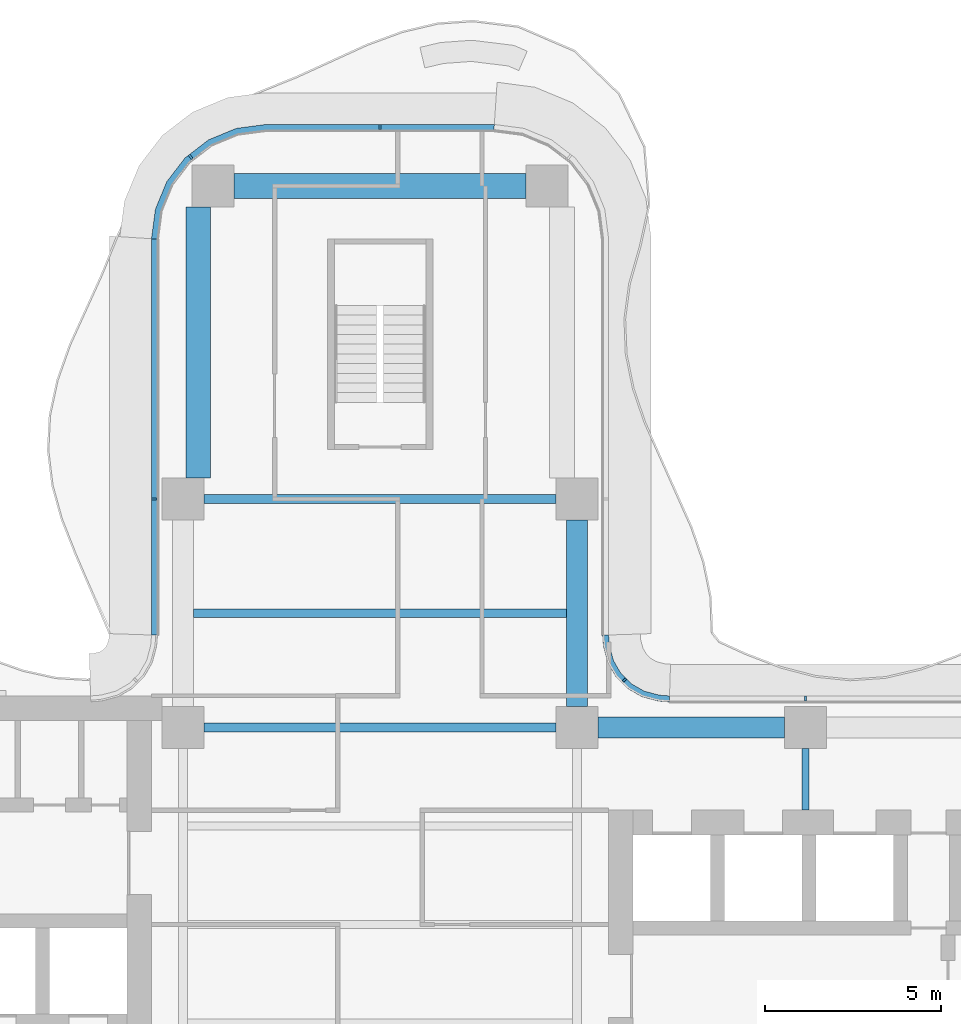
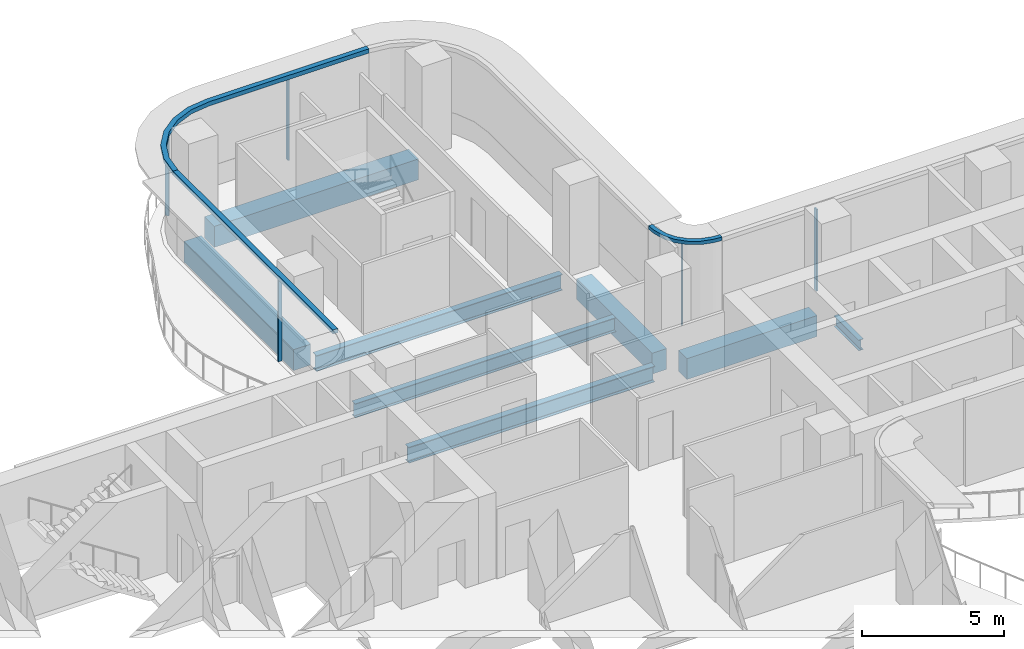
# One storey, part 8 of 18: 8 beams, 8 members, 4 elements without a shape of their own.
"""IFC4 building model written with IfcOpenShell, lengths in metres."""

from ifc_helpers import new_model, si_unit, direction, frame, origin, origin_2d, place, context, subcontext, project, spatial, polyline, rectangle, i_section, outline, extrude, source, transform, mapped, material, layer, layer_set, material_profile, profile_set, type_object, element, aggregate, save


model = new_model("IFC4")

# Units and contexts
model_context = context("Model", 3, precision=1e-05, world=origin(), true_north=direction((0.0, 1.0)))
body_context = subcontext(model_context, "Body", "Model", "MODEL_VIEW")
ifc_project = project(units=[si_unit("LENGTHUNIT", "METRE"), si_unit("AREAUNIT", "SQUARE_METRE"), si_unit("VOLUMEUNIT", "CUBIC_METRE"), si_unit("PLANEANGLEUNIT", "RADIAN"), si_unit("MASSUNIT", "GRAM", prefix="KILO")], contexts=[model_context])

# Site, building, storey
site_placement = place(None, origin())
site = spatial("IfcSite", under=ifc_project, at=site_placement, CompositionType="ELEMENT")
building_placement = place(site_placement, origin())
building = spatial("IfcBuilding", under=site, at=building_placement, Name="Trellis Farm Tower", CompositionType="ELEMENT")
storey_placement = place(building_placement, frame((0.0, 0.0, 193.199951171875)))
storey = spatial("IfcBuildingStorey", under=building, at=storey_placement, Name="L42", CompositionType="ELEMENT", Elevation=193.199951171875)

# Beams
ifc_material_1 = material(Name="Concrete C60/75", Category="concrete")
ifc_material_profile_1 = material_profile(ifc_material_1, rectangle(XDim=0.60009765625, YDim=0.89990234375, at=origin_2d()), Name="RC spandrel beam 600x900 C60/75")
ifc_profile_set_1 = profile_set([ifc_material_profile_1], Name="Concrete C60/75")
beam_type_1 = type_object("IfcBeamType", Name="RC spandrel beam 600x900 C60/75", PredefinedType="SPANDREL", material=ifc_profile_set_1)
shared_shape_1 = source(origin(), body_context, "Body", "SweptSolid", [
    extrude(rectangle(XDim=0.60009765625, YDim=0.89990234375, at=origin_2d()), origin(), (0.0, 0.0, 1.0), 5.300048828125),
])
for number, where, z_axis, x_axis, name in (
    (1, (6.199951171875, 5.60009765625, -0.64990234375), (1.0, 0.0, 0.0), (0.0, 1.0, 0.0), "Girder"),
    (2, (5.60009765625, 6.199951171875, -0.64990234375), (0.0, 1.0, 0.0), (-1.0, 0.0, 0.0), "Girder"),
):
    element("IfcBeam", number, at=place(storey_placement, frame(where, z_axis=z_axis, x_axis=x_axis)), inside=storey, type_object=beam_type_1, Name=name, PredefinedType="SPANDREL", context=body_context, shape_type="MappedRepresentation", body=[
        mapped(shared_shape_1, transform((0.0, 0.0, 0.0))),
    ])
ifc_material_2 = material(Name="Steel S355", Category="steel")
ifc_material_profile_2 = material_profile(ifc_material_2, i_section(OverallWidth=0.253662109375, OverallDepth=0.68359375, WebThickness=0.012451171875, FlangeThickness=0.021728515625, FilletRadius=0.01513671875, at=origin_2d()), Name="UB 686x254x140")
ifc_profile_set_2 = profile_set([ifc_material_profile_2], Name="Steel S355")
beam_type_2 = type_object("IfcBeamType", Name="UB 686x254x140", PredefinedType="BEAM", material=ifc_profile_set_2)
shared_shape_2 = source(origin(), body_context, "Body", "SweptSolid", [
    extrude(i_section(OverallWidth=0.253662109375, OverallDepth=0.68359375, WebThickness=0.012451171875, FlangeThickness=0.021728515625, FilletRadius=0.01513671875, at=origin_2d()), origin(), (0.0, 0.0, 1.0), 10.0),
])
for number, where, z_axis, x_axis, name in (
    (3, (-5.0, 5.60009765625, -0.541748046875), (1.0, 0.0, 0.0), (0.0, 1.0, 0.0), "Girder"),
    (4, (-5.0, 12.10009765625, -0.541748046875), (1.0, 0.0, 0.0), (0.0, 1.0, 0.0), "Girder"),
):
    element("IfcBeam", number, at=place(storey_placement, frame(where, z_axis=z_axis, x_axis=x_axis)), inside=storey, type_object=beam_type_2, Name=name, PredefinedType="BEAM", context=body_context, shape_type="MappedRepresentation", body=[
        mapped(shared_shape_2, transform((0.0, 0.0, 0.0))),
    ])
ifc_material_profile_3 = material_profile(ifc_material_1, rectangle(XDim=0.699951171875, YDim=0.89990234375, at=origin_2d()), Name="RC spandrel beam 700x900 C60/75")
ifc_profile_set_3 = profile_set([ifc_material_profile_3], Name="Concrete C60/75")
beam_type_3 = type_object("IfcBeamType", Name="RC spandrel beam 700x900 C60/75", PredefinedType="SPANDREL", material=ifc_profile_set_3)
shared_shape_3 = source(origin(), body_context, "Body", "SweptSolid", [
    extrude(rectangle(XDim=0.699951171875, YDim=0.89990234375, at=origin_2d()), origin(), (0.0, 0.0, 1.0), 8.2998046875),
])
beam_1_placement = place(storey_placement, frame((-4.14990234375, 21.0, -0.64990234375), z_axis=(1.0, 0.0, 0.0), x_axis=(0.0, 1.0, 0.0)))
element("IfcBeam", 5, at=beam_1_placement, inside=storey, type_object=beam_type_3, Name="Girder", PredefinedType="SPANDREL", context=body_context, shape_type="MappedRepresentation", body=[
    mapped(shared_shape_3, transform((0.0, 0.0, 0.0))),
])
ifc_material_profile_4 = material_profile(ifc_material_2, i_section(OverallWidth=0.1904296875, OverallDepth=0.45703125, WebThickness=0.009033203125, FlangeThickness=0.014404296875, FilletRadius=0.01025390625, at=origin_2d()), Name="UB 457x191x74")
ifc_profile_set_4 = profile_set([ifc_material_profile_4], Name="Steel S355")
beam_type_4 = type_object("IfcBeamType", Name="UB 457x191x74", PredefinedType="BEAM", material=ifc_profile_set_4)
shared_shape_4 = source(origin(), body_context, "Body", "SweptSolid", [
    extrude(i_section(OverallWidth=0.1904296875, OverallDepth=0.45703125, WebThickness=0.009033203125, FlangeThickness=0.014404296875, FilletRadius=0.01025390625, at=origin_2d()), origin(), (0.0, 0.0, 1.0), 1.75),
])
beam_2_placement = place(storey_placement, frame((12.10009765625, 3.25, -0.428466796875), z_axis=(0.0, 1.0, 0.0), x_axis=(-1.0, 0.0, 0.0)))
element("IfcBeam", 6, at=beam_2_placement, inside=storey, type_object=beam_type_4, Name="Girder", PredefinedType="BEAM", context=body_context, shape_type="MappedRepresentation", body=[
    mapped(shared_shape_4, transform((0.0, 0.0, 0.0))),
])
ifc_material_profile_5 = material_profile(ifc_material_2, i_section(OverallWidth=0.22900390625, OverallDepth=0.6123046875, WebThickness=0.011962890625, FlangeThickness=0.01953125, FilletRadius=0.0126953125, at=origin_2d()), Name="UB 610x229x125")
ifc_profile_set_5 = profile_set([ifc_material_profile_5], Name="Steel S355")
beam_type_5 = type_object("IfcBeamType", Name="UB 610x229x125 joist", PredefinedType="JOIST", material=ifc_profile_set_5)
shared_shape_5 = source(origin(), body_context, "Body", "SweptSolid", [
    extrude(i_section(OverallWidth=0.22900390625, OverallDepth=0.6123046875, WebThickness=0.011962890625, FlangeThickness=0.01953125, FilletRadius=0.0126953125, at=origin_2d()), origin(), (0.0, 0.0, 1.0), 10.60009765625),
])
beam_3_placement = place(storey_placement, frame((-5.300048828125, 8.85009765625, -0.506103515625), z_axis=(1.0, 0.0, 0.0), x_axis=(0.0, 1.0, 0.0)))
element("IfcBeam", 7, at=beam_3_placement, inside=storey, type_object=beam_type_5, Name="Floor beam", PredefinedType="JOIST", context=body_context, shape_type="MappedRepresentation", body=[
    mapped(shared_shape_5, transform((0.0, 0.0, 0.0))),
])
shared_shape_6 = source(origin(), body_context, "Body", "SweptSolid", [
    extrude(rectangle(XDim=0.699951171875, YDim=0.89990234375, at=origin_2d()), origin(), (0.0, 0.0, 1.0), 7.699951171875),
])
beam_4_placement = place(storey_placement, frame((-5.175048828125, 12.699951171875, -0.64990234375), z_axis=(0.0, 1.0, 0.0), x_axis=(-1.0, 0.0, 0.0)))
element("IfcBeam", 8, at=beam_4_placement, inside=storey, type_object=beam_type_3, Name="Girder", PredefinedType="SPANDREL", context=body_context, shape_type="MappedRepresentation", body=[
    mapped(shared_shape_6, transform((0.0, 0.0, 0.0))),
])

# Curtain wall, member
ifc_material_3 = material(Name="Aluminium and glass curtain wall", Category="aluminium")
ifc_layer_1 = layer(ifc_material_3, 0.166015625)
ifc_layer_set_1 = layer_set([ifc_layer_1], Name="WINTER GARDEN CURTAIN WALL CW3")
curtain_wall_type_1 = type_object("IfcCurtainWallType", Name="WINTER GARDEN CURTAIN WALL CW3", PredefinedType="NOTDEFINED", material=ifc_layer_set_1)
placement_1 = place(storey_placement, origin())
curtain_wall_1 = element("IfcCurtainWall", 9, at=placement_1, inside=storey, type_object=curtain_wall_type_1, Name="CW3 003", PredefinedType="NOTDEFINED")
ifc_material_4 = material(Name="Aluminium extrusion 6063-T6", Category="aluminium")
ifc_layer_2 = layer(ifc_material_4, 0.169921875)
ifc_layer_set_2 = layer_set([ifc_layer_2], Name="Aluminium extrusion 6063-T6")
member_type_1 = type_object("IfcMemberType", Name="CW3 TRANSOM 170x150", PredefinedType="USERDEFINED", material=ifc_layer_set_2)
shared_shape_7 = source(origin(), body_context, "Body", "SweptSolid", [
    extrude(outline(polyline([(8.2314453125, 6.5), (8.01953125, 6.513916015625), (7.91552734375, 6.527587890625), (7.508544921875, 6.63671875), (7.144287109375, 6.846923828125), (6.846923828125, 7.144287109375), (6.63671875, 7.508544921875), (6.527587890625, 7.91552734375), (6.513916015625, 8.01953125), (6.5, 8.2314453125), (6.330078125, 8.225830078125), (6.3447265625, 8.0029296875), (6.360595703125, 7.88232421875), (6.478271484375, 7.44287109375), (6.7109375, 7.0400390625), (7.0400390625, 6.7109375), (7.44287109375, 6.478271484375), (7.88232421875, 6.360595703125), (8.0029296875, 6.3447265625), (8.225830078125, 6.330078125), (8.2314453125, 6.5)])), origin(), (0.0, 0.0, 1.0), 0.14990234375),
])
member_1_placement = place(storey_placement, frame((0.0, 0.0, 3.550048828125)))
member_1 = element("IfcMember", 10, at=member_1_placement, type_object=member_type_1, Name="TR3 003", ObjectType="TRANSOM", PredefinedType="USERDEFINED", context=body_context, shape_type="MappedRepresentation", body=[
    mapped(shared_shape_7, transform((0.0, 0.0, 0.0))),
])

ifc_layer_3 = layer(ifc_material_3, 0.18994140625)
ifc_layer_set_3 = layer_set([ifc_layer_3], Name="RIBBON CURTAIN WALL CW1")
curtain_wall_type_2 = type_object("IfcCurtainWallType", Name="RIBBON CURTAIN WALL CW1", PredefinedType="NOTDEFINED", material=ifc_layer_set_3)
curtain_wall_2 = element("IfcCurtainWall", 11, at=placement_1, inside=storey, type_object=curtain_wall_type_2, Name="CW1 008", PredefinedType="NOTDEFINED")
ifc_material_profile_6 = material_profile(ifc_material_4, rectangle(XDim=0.06005859375, YDim=0.14990234375, at=origin_2d()), Name="MULLION 60x150")
ifc_profile_set_6 = profile_set([ifc_material_profile_6], Name="Aluminium extrusion 6063-T6")
member_type_2 = type_object("IfcMemberType", Name="CW1 MULLION 60x150", PredefinedType="MULLION", material=ifc_profile_set_6)
shared_shape_8 = source(origin(), body_context, "Body", "SweptSolid", [
    extrude(rectangle(XDim=0.06005859375, YDim=0.14990234375, at=origin_2d()), origin(), (0.0, 0.0, 1.0), 3.52001953125),
])
member_2_placement = place(storey_placement, frame((12.10009765625, 6.425048828125, 0.0), z_axis=(0.0, 0.0, 1.0), x_axis=(-1.0, 0.0, 0.0)))
member_2 = element("IfcMember", 12, at=member_2_placement, type_object=member_type_2, Name="MU1 008-02", PredefinedType="MULLION", context=body_context, shape_type="MappedRepresentation", body=[
    mapped(shared_shape_8, transform((0.0, 0.0, 0.0))),
])
aggregate(curtain_wall_2, [member_2])

# Curtain wall, members
curtain_wall_3 = element("IfcCurtainWall", 13, at=placement_1, inside=storey, type_object=curtain_wall_type_2, Name="CW1 010", PredefinedType="NOTDEFINED")
member_3_placement = place(storey_placement, frame((0.0, 22.675048828125, 0.0), z_axis=(0.0, 0.0, 1.0), x_axis=(-1.0, 0.0, 0.0)))
member_3 = element("IfcMember", 14, at=member_3_placement, type_object=member_type_2, Name="MU1 010-01", PredefinedType="MULLION", context=body_context, shape_type="MappedRepresentation", body=[
    mapped(shared_shape_8, transform((0.0, 0.0, 0.0))),
])
member_4_placement = place(storey_placement, frame((-5.385498046875, 21.828369140625, 0.0), z_axis=(0.0, 0.0, 1.0), x_axis=(-0.793353340291, -0.608761429009, 0.0)))
member_4 = element("IfcMember", 15, at=member_4_placement, type_object=member_type_2, Name="MU1 010-02", PredefinedType="MULLION", context=body_context, shape_type="MappedRepresentation", body=[
    mapped(shared_shape_8, transform((0.0, 0.0, 0.0))),
])

# Curtain wall, member
curtain_wall_4 = element("IfcCurtainWall", 16, at=placement_1, inside=storey, type_object=curtain_wall_type_2, Name="CW1 011", PredefinedType="NOTDEFINED")
member_5_placement = place(storey_placement, frame((-6.425048828125, 12.10009765625, 0.0), z_axis=(0.0, 0.0, 1.0), x_axis=(0.0, -1.0, 0.0)))
member_5 = element("IfcMember", 17, at=member_5_placement, type_object=member_type_2, Name="MU1 011-01", PredefinedType="MULLION", context=body_context, shape_type="MappedRepresentation", body=[
    mapped(shared_shape_8, transform((0.0, 0.0, 0.0))),
])

# Member
ifc_material_profile_7 = material_profile(ifc_material_4, rectangle(XDim=0.050048828125, YDim=0.1201171875, at=origin_2d()), Name="MULLION 50x120")
ifc_profile_set_7 = profile_set([ifc_material_profile_7], Name="Aluminium extrusion 6063-T6")
member_type_3 = type_object("IfcMemberType", Name="CW3 MULLION 50x120", PredefinedType="MULLION", material=ifc_profile_set_7)
shared_shape_9 = source(origin(), body_context, "Body", "SweptSolid", [
    extrude(rectangle(XDim=0.050048828125, YDim=0.1201171875, at=origin_2d()), origin(), (0.0, 0.0, 1.0), 3.550048828125),
])
member_6_placement = place(storey_placement, frame((6.953125, 6.953125, 0.0), z_axis=(0.0, 0.0, 1.0), x_axis=(-0.707106781187, 0.707106781187, 0.0)))
member_6 = element("IfcMember", 18, at=member_6_placement, type_object=member_type_3, Name="MU3 003-01", PredefinedType="MULLION", context=body_context, shape_type="MappedRepresentation", body=[
    mapped(shared_shape_9, transform((0.0, 0.0, 0.0))),
])

aggregate(curtain_wall_1, [member_6, member_1])

ifc_layer_4 = layer(ifc_material_4, 0.199951171875)
ifc_layer_set_4 = layer_set([ifc_layer_4], Name="Aluminium extrusion 6063-T6")
member_type_4 = type_object("IfcMemberType", Name="CW1 TRANSOM 200x180", PredefinedType="USERDEFINED", material=ifc_layer_set_4)
shared_shape_10 = source(origin(), body_context, "Body", "SweptSolid", [
    extrude(outline(polyline([(3.25, 22.75), (-3.25, 22.75), (-4.091064453125, 22.63916015625), (-4.875, 22.314697265625), (-5.548095703125, 21.798095703125), (-6.064697265625, 21.125), (-6.38916015625, 20.341064453125), (-6.5, 19.5), (-6.300048828125, 19.48681640625), (-6.1943359375, 20.2890625), (-5.889892578125, 21.024169921875), (-5.405517578125, 21.655517578125), (-4.774169921875, 22.139892578125), (-4.0390625, 22.4443359375), (-3.23681640625, 22.550048828125), (3.23681640625, 22.550048828125), (3.25, 22.75)])), origin(), (0.0, 0.0, 1.0), 0.179931640625),
])
placement_2 = place(storey_placement, frame((0.0, 0.0, 3.52001953125)))
member_7 = element("IfcMember", 19, at=placement_2, type_object=member_type_4, Name="TR1 010", ObjectType="TRANSOM", PredefinedType="USERDEFINED", context=body_context, shape_type="MappedRepresentation", body=[
    mapped(shared_shape_10, transform((0.0, 0.0, 0.0))),
])

aggregate(curtain_wall_3, [member_3, member_4, member_7])

shared_shape_11 = source(origin(), body_context, "Body", "SweptSolid", [
    extrude(outline(polyline([(-6.5, 19.5), (-6.5, 8.2314453125), (-6.300048828125, 8.224853515625), (-6.300048828125, 19.48681640625), (-6.5, 19.5)])), origin(), (0.0, 0.0, 1.0), 0.179931640625),
])
member_8 = element("IfcMember", 20, at=placement_2, type_object=member_type_4, Name="TR1 011", ObjectType="TRANSOM", PredefinedType="USERDEFINED", context=body_context, shape_type="MappedRepresentation", body=[
    mapped(shared_shape_11, transform((0.0, 0.0, 0.0))),
])

aggregate(curtain_wall_4, [member_5, member_8])

save(model, "model.ifc")
